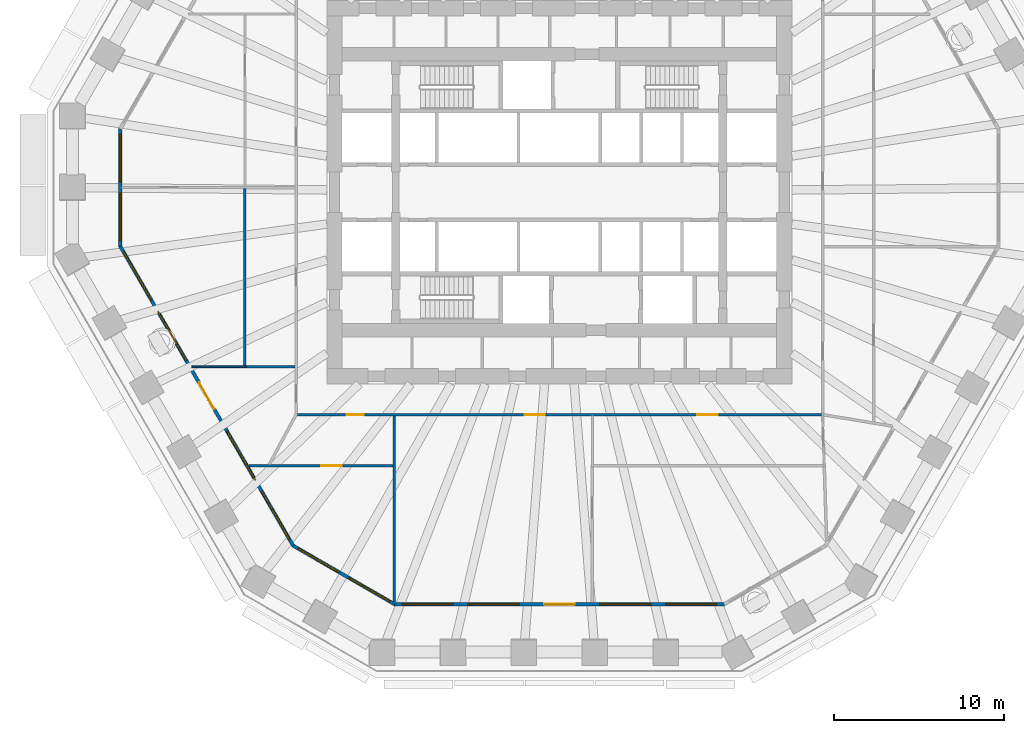
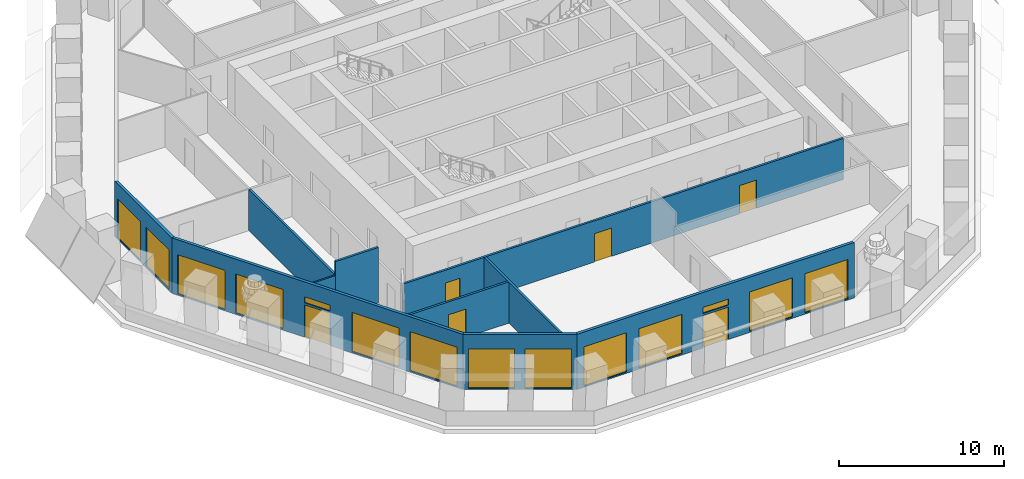
# One storey, part 3 of 13: 14 windows, 10 walls, 6 doors, 20 openings.
"""IFC4 building model written with IfcOpenShell, lengths in metres."""

from ifc_helpers import new_model, si_unit, direction, frame, frame_2d, origin, place, context, subcontext, project, spatial, polyline, rectangle, outline, extrude, material, layer, layer_set, type_object, element, fill, save


model = new_model("IFC4")

# Units and contexts
model_context = context("Model", 3, precision=1e-05, world=origin(), true_north=direction((0.0, 1.0)))
body_context = subcontext(model_context, "Body", "Model", "MODEL_VIEW")
ifc_project = project(units=[si_unit("LENGTHUNIT", "METRE"), si_unit("AREAUNIT", "SQUARE_METRE"), si_unit("VOLUMEUNIT", "CUBIC_METRE"), si_unit("PLANEANGLEUNIT", "RADIAN"), si_unit("MASSUNIT", "GRAM", prefix="KILO")], contexts=[model_context])

# Site, building, storey
site_placement = place(None, origin())
site = spatial("IfcSite", under=ifc_project, at=site_placement, CompositionType="ELEMENT")
building_placement = place(site_placement, origin())
building = spatial("IfcBuilding", under=site, at=building_placement, Name="Frailejon Research Tower", CompositionType="ELEMENT")
storey_placement = place(building_placement, frame((0.0, 0.0, 23.39990234375)))
storey = spatial("IfcBuildingStorey", under=building, at=storey_placement, Name="L05", CompositionType="ELEMENT", Elevation=23.39990234375)

# Wall, openings, doors
ifc_material_1 = material(Name="Gypsum board and masonry partition", Category="masonry")
ifc_layer_1 = layer(ifc_material_1, 0.14990234375)
ifc_layer_set_1 = layer_set([ifc_layer_1], Name="Corridor wall EI 60, gypsum on steel studs 150")
wall_type_1 = type_object("IfcWallType", Name="Corridor wall EI 60, gypsum on steel studs 150", PredefinedType="PARTITIONING", material=ifc_layer_set_1)
wall_1_placement = place(storey_placement, frame((-15.375, -13.050048828125, 0.0), z_axis=(0.0, 0.0, 1.0), x_axis=(1.0, 0.0, 0.0)))
wall_1 = element("IfcWall", 1, at=wall_1_placement, inside=storey, type_object=wall_type_1, Name="T:IW:L05:004", PredefinedType="PARTITIONING", context=body_context, shape_type="SweptSolid", body=[
    extrude(rectangle(XDim=30.75, YDim=0.14990234375, at=frame_2d((15.375, 0.0))), origin(), (0.0, 0.0, 1.0), 3.050048828125),
])
opening_1_placement = place(wall_1_placement, frame((2.90966796875, 0.0, 0.0)))
opening_1 = element("IfcOpeningElement", 2, at=opening_1_placement, cuts=wall_1, Name="Opening D1285", PredefinedType="OPENING", context=body_context, shape_type="SweptSolid", body=[
    extrude(rectangle(XDim=1.0, YDim=2.10009765625, at=frame_2d((0.5, 1.050048828125))), frame((0.0, 0.0849609375, 0.0), z_axis=(0.0, -1.0, 0.0), x_axis=(1.0, 0.0, 0.0)), (0.0, 0.0, 1.0), 0.169921875),
])
opening_2_placement = place(wall_1_placement, frame((13.330322265625, 0.0, 0.0)))
opening_2 = element("IfcOpeningElement", 3, at=opening_2_placement, cuts=wall_1, Name="Opening D1287", PredefinedType="OPENING", context=body_context, shape_type="SweptSolid", body=[
    extrude(rectangle(XDim=1.199951171875, YDim=2.10009765625, at=frame_2d((0.60009765625, 1.050048828125))), frame((0.0, 0.0849609375, 0.0), z_axis=(0.0, -1.0, 0.0), x_axis=(1.0, 0.0, 0.0)), (0.0, 0.0, 1.0), 0.169921875),
])
opening_3_placement = place(wall_1_placement, frame((23.4697265625, 0.0, 0.0)))
opening_3 = element("IfcOpeningElement", 4, at=opening_3_placement, cuts=wall_1, Name="Opening D1289", PredefinedType="OPENING", context=body_context, shape_type="SweptSolid", body=[
    extrude(rectangle(XDim=1.199951171875, YDim=2.10009765625, at=frame_2d((0.60009765625, 1.050048828125))), frame((0.0, 0.0849609375, 0.0), z_axis=(0.0, -1.0, 0.0), x_axis=(1.0, 0.0, 0.0)), (0.0, 0.0, 1.0), 0.169921875),
])
ifc_material_2 = material(Name="Timber door leaf", Category="wood")
door_type_1 = type_object("IfcDoorType", Name="Door laboratory, timber, vision panel 1000", OperationType="NOTDEFINED", PredefinedType="DOOR", material=ifc_material_2)
door_1_placement = place(opening_1_placement, origin())
door_1 = element("IfcDoor", 5, at=door_1_placement, inside=storey, type_object=door_type_1, Name="D1285", OperationType="SINGLE_SWING_RIGHT", OverallHeight=2.10009765625, OverallWidth=1.0, PredefinedType="DOOR", context=body_context, shape_type="SweptSolid", body=[
    extrude(rectangle(XDim=1.0, YDim=2.10009765625, at=frame_2d((0.5, 1.050048828125))), frame((0.0, 0.02490234375, 0.0), z_axis=(0.0, -1.0, 0.0), x_axis=(1.0, 0.0, 0.0)), (0.0, 0.0, 1.0), 0.050048828125),
])
fill(opening_1, door_1)
ifc_material_3 = material(Name="Timber door leaf", Category="wood")
door_type_2 = type_object("IfcDoorType", Name="Door single leaf, timber, steel frame 1200", OperationType="NOTDEFINED", PredefinedType="DOOR", material=ifc_material_3)
door_2_placement = place(opening_2_placement, origin())
door_2 = element("IfcDoor", 6, at=door_2_placement, inside=storey, type_object=door_type_2, Name="D1287", OperationType="DOUBLE_DOOR_SINGLE_SWING", OverallHeight=2.10009765625, OverallWidth=1.199951171875, PredefinedType="DOOR", context=body_context, shape_type="SweptSolid", body=[
    extrude(rectangle(XDim=1.199951171875, YDim=2.10009765625, at=frame_2d((0.60009765625, 1.050048828125))), frame((0.0, 0.02490234375, 0.0), z_axis=(0.0, -1.0, 0.0), x_axis=(1.0, 0.0, 0.0)), (0.0, 0.0, 1.0), 0.050048828125),
])
fill(opening_2, door_2)
door_3_placement = place(opening_3_placement, origin())
door_3 = element("IfcDoor", 7, at=door_3_placement, inside=storey, type_object=door_type_2, Name="D1289", OperationType="DOUBLE_DOOR_SINGLE_SWING", OverallHeight=2.10009765625, OverallWidth=1.199951171875, PredefinedType="DOOR", context=body_context, shape_type="SweptSolid", body=[
    extrude(rectangle(XDim=1.199951171875, YDim=2.10009765625, at=frame_2d((0.60009765625, 1.050048828125))), frame((0.0, 0.02490234375, 0.0), z_axis=(0.0, -1.0, 0.0), x_axis=(1.0, 0.0, 0.0)), (0.0, 0.0, 1.0), 0.050048828125),
])
fill(opening_3, door_3)

# Walls
ifc_material_4 = material(Name="Gypsum board and masonry partition", Category="masonry")
ifc_layer_2 = layer(ifc_material_4, 0.14990234375)
ifc_layer_set_2 = layer_set([ifc_layer_2], Name="Laboratory partition, blockwork 150")
wall_type_2 = type_object("IfcWallType", Name="Laboratory partition, blockwork 150", PredefinedType="PARTITIONING", material=ifc_layer_set_2)
wall_2_placement = place(storey_placement, frame((-18.449951171875, -10.16259765625, 0.0), z_axis=(0.0, 0.0, 1.0), x_axis=(0.0, 1.0, 0.0)))
element("IfcWall", 8, at=wall_2_placement, inside=storey, type_object=wall_type_2, Name="T:IW:L05:016", PredefinedType="PARTITIONING", context=body_context, shape_type="SweptSolid", body=[
    extrude(rectangle(XDim=10.38916015625, YDim=0.14990234375, at=frame_2d((5.194580078125, 0.0))), origin(), (0.0, 0.0, 1.0), 3.050048828125),
])
wall_3_placement = place(storey_placement, frame((-18.52490234375, -10.237548828125, 0.0), z_axis=(0.0, 0.0, 1.0), x_axis=(1.0, 0.0, 0.0)))
element("IfcWall", 9, at=wall_3_placement, inside=storey, type_object=wall_type_2, Name="T:IW:L05:017", PredefinedType="PARTITIONING", context=body_context, shape_type="SweptSolid", body=[
    extrude(rectangle(XDim=3.0, YDim=0.14990234375, at=frame_2d((1.5, 0.0))), origin(), (0.0, 0.0, 1.0), 4.10009765625),
])

# Wall, opening, door
wall_4_placement = place(storey_placement, frame((-18.21533203125, -16.050048828125, 0.0), z_axis=(0.0, 0.0, 1.0), x_axis=(1.0, 0.0, 0.0)))
wall_4 = element("IfcWall", 10, at=wall_4_placement, inside=storey, type_object=wall_type_2, Name="T:IW:L05:019", PredefinedType="PARTITIONING", context=body_context, shape_type="SweptSolid", body=[
    extrude(rectangle(XDim=8.443603515625, YDim=0.14990234375, at=frame_2d((4.2216796875, 0.0))), origin(), (0.0, 0.0, 1.0), 3.050048828125),
])
opening_4_placement = place(wall_4_placement, frame((4.234375, 0.0, 0.0)))
opening_4 = element("IfcOpeningElement", 11, at=opening_4_placement, cuts=wall_4, Name="Opening D1286", PredefinedType="OPENING", context=body_context, shape_type="SweptSolid", body=[
    extrude(rectangle(XDim=1.199951171875, YDim=2.10009765625, at=frame_2d((0.60009765625, 1.050048828125))), frame((0.0, 0.0849609375, 0.0), z_axis=(0.0, -1.0, 0.0), x_axis=(1.0, 0.0, 0.0)), (0.0, 0.0, 1.0), 0.169921875),
])
ifc_material_5 = material(Name="Timber door leaf", Category="wood")
door_type_3 = type_object("IfcDoorType", Name="Door laboratory, timber, vision panel 1200", OperationType="NOTDEFINED", PredefinedType="DOOR", material=ifc_material_5)
door_4_placement = place(opening_4_placement, origin())
door_4 = element("IfcDoor", 12, at=door_4_placement, inside=storey, type_object=door_type_3, Name="D1286", OperationType="DOUBLE_DOOR_SINGLE_SWING", OverallHeight=2.10009765625, OverallWidth=1.199951171875, PredefinedType="DOOR", context=body_context, shape_type="SweptSolid", body=[
    extrude(rectangle(XDim=1.199951171875, YDim=2.10009765625, at=frame_2d((0.60009765625, 1.050048828125))), frame((0.0, 0.02490234375, 0.0), z_axis=(0.0, -1.0, 0.0), x_axis=(1.0, 0.0, 0.0)), (0.0, 0.0, 1.0), 0.050048828125),
])
fill(opening_4, door_4)

# Walls
wall_5_placement = place(storey_placement, frame((-9.69677734375, -24.045654296875, 0.0), z_axis=(0.0, 0.0, 1.0), x_axis=(0.0, 1.0, 0.0)))
element("IfcWall", 13, at=wall_5_placement, inside=storey, type_object=wall_type_2, Name="T:IW:L05:021", PredefinedType="PARTITIONING", context=body_context, shape_type="SweptSolid", body=[
    extrude(rectangle(XDim=10.920654296875, YDim=0.14990234375, at=frame_2d((5.46044921875, 0.0))), origin(), (0.0, 0.0, 1.0), 3.050048828125),
])
ifc_material_6 = material(Name="Gypsum board and masonry partition", Category="masonry")
ifc_layer_3 = layer(ifc_material_6, 0.10009765625)
ifc_layer_set_3 = layer_set([ifc_layer_3], Name="Partition, gypsum on steel studs 100")
wall_type_3 = type_object("IfcWallType", Name="Partition, gypsum on steel studs 100", PredefinedType="PARTITIONING", material=ifc_layer_set_3)
wall_6_placement = place(storey_placement, frame((-21.5712890625, -10.237548828125, 0.0), z_axis=(0.0, 0.0, 1.0), x_axis=(1.0, 0.0, 0.0)))
element("IfcWall", 14, at=wall_6_placement, inside=storey, type_object=wall_type_3, Name="T:IW:L05:032", PredefinedType="PARTITIONING", context=body_context, shape_type="SweptSolid", body=[
    extrude(rectangle(XDim=3.1962890625, YDim=0.10009765625, at=frame_2d((1.59814453125, 0.0))), origin(), (0.0, 0.0, 1.0), 3.050048828125),
])

# Wall, openings, windows
ifc_material_7 = material(Name="Concrete C40/50 precast window wall panel", Category="concrete")
ifc_layer_4 = layer(ifc_material_7, 0.199951171875)
ifc_layer_set_4 = layer_set([ifc_layer_4], Name="Window wall 200")
wall_type_4 = type_object("IfcWallType", Name="Window wall 200", PredefinedType="SOLIDWALL", material=ifc_layer_set_4)
wall_7_placement = place(storey_placement, frame((-25.7724609375, 3.7138671875, 0.0), z_axis=(0.0, 0.0, 1.0), x_axis=(0.0, -1.0, 0.0)))
wall_7 = element("IfcWall", 15, at=wall_7_placement, inside=storey, type_object=wall_type_4, Name="Exterior wall L05", PredefinedType="SOLIDWALL", context=body_context, shape_type="SweptSolid", body=[
    extrude(outline(polyline([(-0.02685546875, -0.10009765625), (1.1279296875, -0.10009765625), (2.28271484375, -0.10009765625), (3.4375, -0.10009765625), (4.592041015625, -0.10009765625), (5.746826171875, -0.10009765625), (6.901611328125, -0.10009765625), (6.847900390625, 0.10009765625), (5.7109375, 0.10009765625), (4.57421875, 0.10009765625), (3.4375, 0.10009765625), (2.300537109375, 0.10009765625), (1.16357421875, 0.10009765625), (0.02685546875, 0.10009765625), (-0.02685546875, -0.10009765625)])), origin(), (0.0, 0.0, 1.0), 4.10009765625),
])
opening_5_placement = place(wall_7_placement, frame((0.318603515625, 0.0, 0.10009765625)))
opening_5 = element("IfcOpeningElement", 16, at=opening_5_placement, cuts=wall_7, Name="Opening W3", PredefinedType="OPENING", context=body_context, shape_type="SweptSolid", body=[
    extrude(rectangle(XDim=2.800048828125, YDim=2.89990234375, at=frame_2d((1.39990234375, 1.449951171875))), frame((0.0, 0.10986328125, 0.0), z_axis=(0.0, -1.0, 0.0), x_axis=(1.0, 0.0, 0.0)), (0.0, 0.0, 1.0), 0.219970703125),
])
opening_6_placement = place(wall_7_placement, frame((3.756103515625, 0.0, 0.10009765625)))
opening_6 = element("IfcOpeningElement", 17, at=opening_6_placement, cuts=wall_7, Name="Opening W3", PredefinedType="OPENING", context=body_context, shape_type="SweptSolid", body=[
    extrude(rectangle(XDim=2.800048828125, YDim=2.89990234375, at=frame_2d((1.39990234375, 1.449951171875))), frame((0.0, 0.10986328125, 0.0), z_axis=(0.0, -1.0, 0.0), x_axis=(1.0, 0.0, 0.0)), (0.0, 0.0, 1.0), 0.219970703125),
])
ifc_material_8 = material(Name="Aluminium framed double glazing", Category="aluminium")
window_type_1 = type_object("IfcWindowType", Name="Window 2800x2900", PartitioningType="SINGLE_PANEL", PredefinedType="WINDOW", material=ifc_material_8)
window_1_placement = place(opening_5_placement, origin())
window_1 = element("IfcWindow", 18, at=window_1_placement, inside=storey, type_object=window_type_1, Name="Window L05", OverallHeight=2.89990234375, OverallWidth=2.800048828125, PartitioningType="SINGLE_PANEL", PredefinedType="WINDOW", context=body_context, shape_type="SweptSolid", body=[
    extrude(rectangle(XDim=2.800048828125, YDim=2.89990234375, at=frame_2d((1.39990234375, 1.449951171875))), frame((0.0, 0.030029296875, 0.0), z_axis=(0.0, -1.0, 0.0), x_axis=(1.0, 0.0, 0.0)), (0.0, 0.0, 1.0), 0.06005859375),
])
fill(opening_5, window_1)
window_2_placement = place(opening_6_placement, origin())
window_2 = element("IfcWindow", 19, at=window_2_placement, inside=storey, type_object=window_type_1, Name="Window L05", OverallHeight=2.89990234375, OverallWidth=2.800048828125, PartitioningType="SINGLE_PANEL", PredefinedType="WINDOW", context=body_context, shape_type="SweptSolid", body=[
    extrude(rectangle(XDim=2.800048828125, YDim=2.89990234375, at=frame_2d((1.39990234375, 1.449951171875))), frame((0.0, 0.030029296875, 0.0), z_axis=(0.0, -1.0, 0.0), x_axis=(1.0, 0.0, 0.0)), (0.0, 0.0, 1.0), 0.06005859375),
])
fill(opening_6, window_2)

# Wall, openings, door, windows
wall_8_placement = place(storey_placement, frame((-25.7724609375, -3.160888671875, 0.0), z_axis=(0.0, 0.0, 1.0), x_axis=(0.500001833672, -0.866024345111, 0.0)))
wall_8 = element("IfcWall", 20, at=wall_8_placement, inside=storey, type_object=wall_type_4, Name="Exterior wall L05", PredefinedType="SOLIDWALL", context=body_context, shape_type="SweptSolid", body=[
    extrude(outline(polyline([(-0.02685546875, -0.10009765625), (0.99072265625, -0.10009765625), (2.00830078125, -0.10009765625), (3.02587890625, -0.10009765625), (4.04345703125, -0.10009765625), (5.06103515625, -0.10009765625), (6.07861328125, -0.10009765625), (7.09619140625, -0.10009765625), (8.11376953125, -0.10009765625), (9.13134765625, -0.10009765625), (10.14892578125, -0.10009765625), (11.16650390625, -0.10009765625), (12.18408203125, -0.10009765625), (13.20166015625, -0.10009765625), (14.21923828125, -0.10009765625), (15.23681640625, -0.10009765625), (16.25439453125, -0.10009765625), (17.27197265625, -0.10009765625), (18.28955078125, -0.10009765625), (19.30712890625, -0.10009765625), (20.32470703125, -0.10009765625), (20.27099609375, 0.10009765625), (19.2587890625, 0.10009765625), (18.24658203125, 0.10009765625), (17.234375, 0.10009765625), (16.22216796875, 0.10009765625), (15.2099609375, 0.10009765625), (14.19775390625, 0.10009765625), (13.185546875, 0.10009765625), (12.17333984375, 0.10009765625), (11.1611328125, 0.10009765625), (10.14892578125, 0.10009765625), (9.13671875, 0.10009765625), (8.12451171875, 0.10009765625), (7.1123046875, 0.10009765625), (6.10009765625, 0.10009765625), (5.087890625, 0.10009765625), (4.07568359375, 0.10009765625), (3.0634765625, 0.10009765625), (2.05126953125, 0.10009765625), (1.0390625, 0.10009765625), (0.02685546875, 0.10009765625), (-0.02685546875, -0.10009765625)])), origin(), (0.0, 0.0, 1.0), 4.10009765625),
])
opening_7_placement = place(wall_8_placement, frame((0.3798828125, 0.0, 0.10009765625)))
opening_7 = element("IfcOpeningElement", 21, at=opening_7_placement, cuts=wall_8, Name="Opening W5", PredefinedType="OPENING", context=body_context, shape_type="SweptSolid", body=[
    extrude(rectangle(XDim=3.300048828125, YDim=2.89990234375, at=frame_2d((1.64990234375, 1.449951171875))), frame((0.0, 0.10986328125, 0.0), z_axis=(0.0, -1.0, 0.0), x_axis=(1.0, 0.0, 0.0)), (0.0, 0.0, 1.0), 0.219970703125),
])
opening_8_placement = place(wall_8_placement, frame((4.439453125, 0.0, 0.10009765625)))
opening_8 = element("IfcOpeningElement", 22, at=opening_8_placement, cuts=wall_8, Name="Opening W5", PredefinedType="OPENING", context=body_context, shape_type="SweptSolid", body=[
    extrude(rectangle(XDim=3.300048828125, YDim=2.89990234375, at=frame_2d((1.64990234375, 1.449951171875))), frame((0.0, 0.10986328125, 0.0), z_axis=(0.0, -1.0, 0.0), x_axis=(1.0, 0.0, 0.0)), (0.0, 0.0, 1.0), 0.219970703125),
])
opening_9_placement = place(wall_8_placement, frame((9.248779296875, 0.0, 0.0)))
opening_9 = element("IfcOpeningElement", 23, at=opening_9_placement, cuts=wall_8, Name="Opening LG05-4", PredefinedType="OPENING", context=body_context, shape_type="SweptSolid", body=[
    extrude(rectangle(XDim=1.800048828125, YDim=2.39990234375, at=frame_2d((0.89990234375, 1.199951171875))), frame((0.0, 0.10986328125, 0.0), z_axis=(0.0, -1.0, 0.0), x_axis=(1.0, 0.0, 0.0)), (0.0, 0.0, 1.0), 0.219970703125),
])
opening_10_placement = place(wall_8_placement, frame((9.248779296875, 0.0, 2.550048828125)))
opening_10 = element("IfcOpeningElement", 24, at=opening_10_placement, cuts=wall_8, Name="Opening W1", PredefinedType="OPENING", context=body_context, shape_type="SweptSolid", body=[
    extrude(rectangle(XDim=1.800048828125, YDim=0.449951171875, at=frame_2d((0.89990234375, 0.22509765625))), frame((0.0, 0.10986328125, 0.0), z_axis=(0.0, -1.0, 0.0), x_axis=(1.0, 0.0, 0.0)), (0.0, 0.0, 1.0), 0.219970703125),
])
opening_11_placement = place(wall_8_placement, frame((12.55859375, 0.0, 0.10009765625)))
opening_11 = element("IfcOpeningElement", 25, at=opening_11_placement, cuts=wall_8, Name="Opening W5", PredefinedType="OPENING", context=body_context, shape_type="SweptSolid", body=[
    extrude(rectangle(XDim=3.300048828125, YDim=2.89990234375, at=frame_2d((1.64990234375, 1.449951171875))), frame((0.0, 0.10986328125, 0.0), z_axis=(0.0, -1.0, 0.0), x_axis=(1.0, 0.0, 0.0)), (0.0, 0.0, 1.0), 0.219970703125),
])
opening_12_placement = place(wall_8_placement, frame((16.6181640625, 0.0, 0.10009765625)))
opening_12 = element("IfcOpeningElement", 26, at=opening_12_placement, cuts=wall_8, Name="Opening W5", PredefinedType="OPENING", context=body_context, shape_type="SweptSolid", body=[
    extrude(rectangle(XDim=3.300048828125, YDim=2.89990234375, at=frame_2d((1.64990234375, 1.449951171875))), frame((0.0, 0.10986328125, 0.0), z_axis=(0.0, -1.0, 0.0), x_axis=(1.0, 0.0, 0.0)), (0.0, 0.0, 1.0), 0.219970703125),
])
ifc_material_9 = material(Name="Aluminium framed glazed door leaf", Category="aluminium")
door_type_4 = type_object("IfcDoorType", Name="Loggia door 1800x2400", OperationType="DOUBLE_DOOR_SINGLE_SWING", PredefinedType="DOOR", material=ifc_material_9)
door_5_placement = place(opening_9_placement, origin())
door_5 = element("IfcDoor", 27, at=door_5_placement, inside=storey, type_object=door_type_4, Name="Door LG05-4", OperationType="DOUBLE_DOOR_SINGLE_SWING", OverallHeight=2.39990234375, OverallWidth=1.800048828125, PredefinedType="DOOR", context=body_context, shape_type="SweptSolid", body=[
    extrude(rectangle(XDim=1.800048828125, YDim=2.39990234375, at=frame_2d((0.89990234375, 1.199951171875))), frame((0.0, 0.02490234375, 0.0), z_axis=(0.0, -1.0, 0.0), x_axis=(1.0, 0.0, 0.0)), (0.0, 0.0, 1.0), 0.050048828125),
])
fill(opening_9, door_5)
ifc_material_10 = material(Name="Aluminium framed double glazing", Category="aluminium")
window_type_2 = type_object("IfcWindowType", Name="Window 1800x450", PartitioningType="SINGLE_PANEL", PredefinedType="WINDOW", material=ifc_material_10)
window_3_placement = place(opening_10_placement, origin())
window_3 = element("IfcWindow", 28, at=window_3_placement, inside=storey, type_object=window_type_2, Name="Window L05", OverallHeight=0.449951171875, OverallWidth=1.800048828125, PartitioningType="SINGLE_PANEL", PredefinedType="WINDOW", context=body_context, shape_type="SweptSolid", body=[
    extrude(rectangle(XDim=1.800048828125, YDim=0.449951171875, at=frame_2d((0.89990234375, 0.22509765625))), frame((0.0, 0.030029296875, 0.0), z_axis=(0.0, -1.0, 0.0), x_axis=(1.0, 0.0, 0.0)), (0.0, 0.0, 1.0), 0.06005859375),
])
fill(opening_10, window_3)
ifc_material_11 = material(Name="Aluminium framed double glazing", Category="aluminium")
window_type_3 = type_object("IfcWindowType", Name="Window 3300x2900", PartitioningType="SINGLE_PANEL", PredefinedType="WINDOW", material=ifc_material_11)
window_4_placement = place(opening_7_placement, origin())
window_4 = element("IfcWindow", 29, at=window_4_placement, inside=storey, type_object=window_type_3, Name="Window L05", OverallHeight=2.89990234375, OverallWidth=3.300048828125, PartitioningType="SINGLE_PANEL", PredefinedType="WINDOW", context=body_context, shape_type="SweptSolid", body=[
    extrude(rectangle(XDim=3.300048828125, YDim=2.89990234375, at=frame_2d((1.64990234375, 1.449951171875))), frame((0.0, 0.030029296875, 0.0), z_axis=(0.0, -1.0, 0.0), x_axis=(1.0, 0.0, 0.0)), (0.0, 0.0, 1.0), 0.06005859375),
])
fill(opening_7, window_4)
window_5_placement = place(opening_8_placement, origin())
window_5 = element("IfcWindow", 30, at=window_5_placement, inside=storey, type_object=window_type_3, Name="Window L05", OverallHeight=2.89990234375, OverallWidth=3.300048828125, PartitioningType="SINGLE_PANEL", PredefinedType="WINDOW", context=body_context, shape_type="SweptSolid", body=[
    extrude(rectangle(XDim=3.300048828125, YDim=2.89990234375, at=frame_2d((1.64990234375, 1.449951171875))), frame((0.0, 0.030029296875, 0.0), z_axis=(0.0, -1.0, 0.0), x_axis=(1.0, 0.0, 0.0)), (0.0, 0.0, 1.0), 0.06005859375),
])
fill(opening_8, window_5)
window_6_placement = place(opening_11_placement, origin())
window_6 = element("IfcWindow", 31, at=window_6_placement, inside=storey, type_object=window_type_3, Name="Window L05", OverallHeight=2.89990234375, OverallWidth=3.300048828125, PartitioningType="SINGLE_PANEL", PredefinedType="WINDOW", context=body_context, shape_type="SweptSolid", body=[
    extrude(rectangle(XDim=3.300048828125, YDim=2.89990234375, at=frame_2d((1.64990234375, 1.449951171875))), frame((0.0, 0.030029296875, 0.0), z_axis=(0.0, -1.0, 0.0), x_axis=(1.0, 0.0, 0.0)), (0.0, 0.0, 1.0), 0.06005859375),
])
fill(opening_11, window_6)
window_7_placement = place(opening_12_placement, origin())
window_7 = element("IfcWindow", 32, at=window_7_placement, inside=storey, type_object=window_type_3, Name="Window L05", OverallHeight=2.89990234375, OverallWidth=3.300048828125, PartitioningType="SINGLE_PANEL", PredefinedType="WINDOW", context=body_context, shape_type="SweptSolid", body=[
    extrude(rectangle(XDim=3.300048828125, YDim=2.89990234375, at=frame_2d((1.64990234375, 1.449951171875))), frame((0.0, 0.030029296875, 0.0), z_axis=(0.0, -1.0, 0.0), x_axis=(1.0, 0.0, 0.0)), (0.0, 0.0, 1.0), 0.06005859375),
])
fill(opening_12, window_7)

# Wall, openings, windows
wall_9_placement = place(storey_placement, frame((-15.62353515625, -20.7392578125, 0.0), z_axis=(0.0, 0.0, 1.0), x_axis=(0.866029458321, -0.49999297727, 0.0)))
wall_9 = element("IfcWall", 33, at=wall_9_placement, inside=storey, type_object=wall_type_4, Name="Exterior wall L05", PredefinedType="SOLIDWALL", context=body_context, shape_type="SweptSolid", body=[
    extrude(outline(polyline([(-0.02685546875, -0.10009765625), (1.1279296875, -0.10009765625), (2.282470703125, -0.10009765625), (3.437255859375, -0.10009765625), (4.592041015625, -0.10009765625), (5.74658203125, -0.10009765625), (6.9013671875, -0.10009765625), (6.84765625, 0.10009765625), (5.7109375, 0.10009765625), (4.573974609375, 0.10009765625), (3.437255859375, 0.10009765625), (2.300537109375, 0.10009765625), (1.16357421875, 0.10009765625), (0.02685546875, 0.10009765625), (-0.02685546875, -0.10009765625)])), origin(), (0.0, 0.0, 1.0), 4.10009765625),
])
opening_13_placement = place(wall_9_placement, frame((0.318603515625, 0.0, 0.10009765625)))
opening_13 = element("IfcOpeningElement", 34, at=opening_13_placement, cuts=wall_9, Name="Opening W3", PredefinedType="OPENING", context=body_context, shape_type="SweptSolid", body=[
    extrude(rectangle(XDim=2.800048828125, YDim=2.89990234375, at=frame_2d((1.39990234375, 1.449951171875))), frame((0.0, 0.10986328125, 0.0), z_axis=(0.0, -1.0, 0.0), x_axis=(1.0, 0.0, 0.0)), (0.0, 0.0, 1.0), 0.219970703125),
])
opening_14_placement = place(wall_9_placement, frame((3.756103515625, 0.0, 0.10009765625)))
opening_14 = element("IfcOpeningElement", 35, at=opening_14_placement, cuts=wall_9, Name="Opening W3", PredefinedType="OPENING", context=body_context, shape_type="SweptSolid", body=[
    extrude(rectangle(XDim=2.800048828125, YDim=2.89990234375, at=frame_2d((1.39990234375, 1.449951171875))), frame((0.0, 0.10986328125, 0.0), z_axis=(0.0, -1.0, 0.0), x_axis=(1.0, 0.0, 0.0)), (0.0, 0.0, 1.0), 0.219970703125),
])
window_8_placement = place(opening_13_placement, origin())
window_8 = element("IfcWindow", 36, at=window_8_placement, inside=storey, type_object=window_type_1, Name="Window L05", OverallHeight=2.89990234375, OverallWidth=2.800048828125, PartitioningType="SINGLE_PANEL", PredefinedType="WINDOW", context=body_context, shape_type="SweptSolid", body=[
    extrude(rectangle(XDim=2.800048828125, YDim=2.89990234375, at=frame_2d((1.39990234375, 1.449951171875))), frame((0.0, 0.030029296875, 0.0), z_axis=(0.0, -1.0, 0.0), x_axis=(1.0, 0.0, 0.0)), (0.0, 0.0, 1.0), 0.06005859375),
])
fill(opening_13, window_8)
window_9_placement = place(opening_14_placement, origin())
window_9 = element("IfcWindow", 37, at=window_9_placement, inside=storey, type_object=window_type_1, Name="Window L05", OverallHeight=2.89990234375, OverallWidth=2.800048828125, PartitioningType="SINGLE_PANEL", PredefinedType="WINDOW", context=body_context, shape_type="SweptSolid", body=[
    extrude(rectangle(XDim=2.800048828125, YDim=2.89990234375, at=frame_2d((1.39990234375, 1.449951171875))), frame((0.0, 0.030029296875, 0.0), z_axis=(0.0, -1.0, 0.0), x_axis=(1.0, 0.0, 0.0)), (0.0, 0.0, 1.0), 0.06005859375),
])
fill(opening_14, window_9)

# Wall, openings, door, windows
wall_10_placement = place(storey_placement, frame((-9.669921875, -24.176513671875, 0.0), z_axis=(0.0, 0.0, 1.0), x_axis=(1.0, 0.0, 0.0)))
wall_10 = element("IfcWall", 38, at=wall_10_placement, inside=storey, type_object=wall_type_4, Name="Exterior wall L05", PredefinedType="SOLIDWALL", context=body_context, shape_type="SweptSolid", body=[
    extrude(outline(polyline([(-0.02685546875, -0.10009765625), (0.993896484375, -0.10009765625), (2.0146484375, -0.10009765625), (3.035400390625, -0.10009765625), (4.055908203125, -0.10009765625), (5.07666015625, -0.10009765625), (6.097412109375, -0.10009765625), (7.1181640625, -0.10009765625), (8.138916015625, -0.10009765625), (9.15966796875, -0.10009765625), (10.18017578125, -0.10009765625), (11.200927734375, -0.10009765625), (12.2216796875, -0.10009765625), (13.242431640625, -0.10009765625), (14.26318359375, -0.10009765625), (15.283935546875, -0.10009765625), (16.304443359375, -0.10009765625), (17.3251953125, -0.10009765625), (18.345947265625, -0.10009765625), (19.36669921875, -0.10009765625), (19.31298828125, 0.10009765625), (18.2978515625, 0.10009765625), (17.282958984375, 0.10009765625), (16.267822265625, 0.10009765625), (15.252685546875, 0.10009765625), (14.23779296875, 0.10009765625), (13.22265625, 0.10009765625), (12.20751953125, 0.10009765625), (11.192626953125, 0.10009765625), (10.177490234375, 0.10009765625), (9.162353515625, 0.10009765625), (8.147216796875, 0.10009765625), (7.13232421875, 0.10009765625), (6.1171875, 0.10009765625), (5.10205078125, 0.10009765625), (4.087158203125, 0.10009765625), (3.072021484375, 0.10009765625), (2.056884765625, 0.10009765625), (1.0419921875, 0.10009765625), (0.02685546875, 0.10009765625), (-0.02685546875, -0.10009765625)])), origin(), (0.0, 0.0, 1.0), 4.10009765625),
])
opening_15_placement = place(wall_10_placement, frame((0.43408203125, 0.0, 0.10009765625)))
opening_15 = element("IfcOpeningElement", 39, at=opening_15_placement, cuts=wall_10, Name="Opening W4", PredefinedType="OPENING", context=body_context, shape_type="SweptSolid", body=[
    extrude(rectangle(XDim=3.0, YDim=2.89990234375, at=frame_2d((1.5, 1.449951171875))), frame((0.0, 0.10986328125, 0.0), z_axis=(0.0, -1.0, 0.0), x_axis=(1.0, 0.0, 0.0)), (0.0, 0.0, 1.0), 0.219970703125),
])
opening_16_placement = place(wall_10_placement, frame((4.302001953125, 0.0, 0.10009765625)))
opening_16 = element("IfcOpeningElement", 40, at=opening_16_placement, cuts=wall_10, Name="Opening W4", PredefinedType="OPENING", context=body_context, shape_type="SweptSolid", body=[
    extrude(rectangle(XDim=3.0, YDim=2.89990234375, at=frame_2d((1.5, 1.449951171875))), frame((0.0, 0.10986328125, 0.0), z_axis=(0.0, -1.0, 0.0), x_axis=(1.0, 0.0, 0.0)), (0.0, 0.0, 1.0), 0.219970703125),
])
opening_17_placement = place(wall_10_placement, frame((8.77001953125, 0.0, 0.0)))
opening_17 = element("IfcOpeningElement", 41, at=opening_17_placement, cuts=wall_10, Name="Opening LG05-5", PredefinedType="OPENING", context=body_context, shape_type="SweptSolid", body=[
    extrude(rectangle(XDim=1.800048828125, YDim=2.39990234375, at=frame_2d((0.89990234375, 1.199951171875))), frame((0.0, 0.10986328125, 0.0), z_axis=(0.0, -1.0, 0.0), x_axis=(1.0, 0.0, 0.0)), (0.0, 0.0, 1.0), 0.219970703125),
])
opening_18_placement = place(wall_10_placement, frame((8.77001953125, 0.0, 2.550048828125)))
opening_18 = element("IfcOpeningElement", 42, at=opening_18_placement, cuts=wall_10, Name="Opening W1", PredefinedType="OPENING", context=body_context, shape_type="SweptSolid", body=[
    extrude(rectangle(XDim=1.800048828125, YDim=0.449951171875, at=frame_2d((0.89990234375, 0.22509765625))), frame((0.0, 0.10986328125, 0.0), z_axis=(0.0, -1.0, 0.0), x_axis=(1.0, 0.0, 0.0)), (0.0, 0.0, 1.0), 0.219970703125),
])
opening_19_placement = place(wall_10_placement, frame((12.037841796875, 0.0, 0.10009765625)))
opening_19 = element("IfcOpeningElement", 43, at=opening_19_placement, cuts=wall_10, Name="Opening W4", PredefinedType="OPENING", context=body_context, shape_type="SweptSolid", body=[
    extrude(rectangle(XDim=3.0, YDim=2.89990234375, at=frame_2d((1.5, 1.449951171875))), frame((0.0, 0.10986328125, 0.0), z_axis=(0.0, -1.0, 0.0), x_axis=(1.0, 0.0, 0.0)), (0.0, 0.0, 1.0), 0.219970703125),
])
opening_20_placement = place(wall_10_placement, frame((15.906005859375, 0.0, 0.10009765625)))
opening_20 = element("IfcOpeningElement", 44, at=opening_20_placement, cuts=wall_10, Name="Opening W4", PredefinedType="OPENING", context=body_context, shape_type="SweptSolid", body=[
    extrude(rectangle(XDim=3.0, YDim=2.89990234375, at=frame_2d((1.5, 1.449951171875))), frame((0.0, 0.10986328125, 0.0), z_axis=(0.0, -1.0, 0.0), x_axis=(1.0, 0.0, 0.0)), (0.0, 0.0, 1.0), 0.219970703125),
])
door_6_placement = place(opening_17_placement, origin())
door_6 = element("IfcDoor", 45, at=door_6_placement, inside=storey, type_object=door_type_4, Name="Door LG05-5", OperationType="DOUBLE_DOOR_SINGLE_SWING", OverallHeight=2.39990234375, OverallWidth=1.800048828125, PredefinedType="DOOR", context=body_context, shape_type="SweptSolid", body=[
    extrude(rectangle(XDim=1.800048828125, YDim=2.39990234375, at=frame_2d((0.89990234375, 1.199951171875))), frame((0.0, 0.02490234375, 0.0), z_axis=(0.0, -1.0, 0.0), x_axis=(1.0, 0.0, 0.0)), (0.0, 0.0, 1.0), 0.050048828125),
])
fill(opening_17, door_6)
window_10_placement = place(opening_18_placement, origin())
window_10 = element("IfcWindow", 46, at=window_10_placement, inside=storey, type_object=window_type_2, Name="Window L05", OverallHeight=0.449951171875, OverallWidth=1.800048828125, PartitioningType="SINGLE_PANEL", PredefinedType="WINDOW", context=body_context, shape_type="SweptSolid", body=[
    extrude(rectangle(XDim=1.800048828125, YDim=0.449951171875, at=frame_2d((0.89990234375, 0.22509765625))), frame((0.0, 0.030029296875, 0.0), z_axis=(0.0, -1.0, 0.0), x_axis=(1.0, 0.0, 0.0)), (0.0, 0.0, 1.0), 0.06005859375),
])
fill(opening_18, window_10)
ifc_material_12 = material(Name="Aluminium framed double glazing", Category="aluminium")
window_type_4 = type_object("IfcWindowType", Name="Window 3000x2900", PartitioningType="SINGLE_PANEL", PredefinedType="WINDOW", material=ifc_material_12)
window_11_placement = place(opening_15_placement, origin())
window_11 = element("IfcWindow", 47, at=window_11_placement, inside=storey, type_object=window_type_4, Name="Window L05", OverallHeight=2.89990234375, OverallWidth=3.0, PartitioningType="SINGLE_PANEL", PredefinedType="WINDOW", context=body_context, shape_type="SweptSolid", body=[
    extrude(rectangle(XDim=3.0, YDim=2.89990234375, at=frame_2d((1.5, 1.449951171875))), frame((0.0, 0.030029296875, 0.0), z_axis=(0.0, -1.0, 0.0), x_axis=(1.0, 0.0, 0.0)), (0.0, 0.0, 1.0), 0.06005859375),
])
fill(opening_15, window_11)
window_12_placement = place(opening_16_placement, origin())
window_12 = element("IfcWindow", 48, at=window_12_placement, inside=storey, type_object=window_type_4, Name="Window L05", OverallHeight=2.89990234375, OverallWidth=3.0, PartitioningType="SINGLE_PANEL", PredefinedType="WINDOW", context=body_context, shape_type="SweptSolid", body=[
    extrude(rectangle(XDim=3.0, YDim=2.89990234375, at=frame_2d((1.5, 1.449951171875))), frame((0.0, 0.030029296875, 0.0), z_axis=(0.0, -1.0, 0.0), x_axis=(1.0, 0.0, 0.0)), (0.0, 0.0, 1.0), 0.06005859375),
])
fill(opening_16, window_12)
window_13_placement = place(opening_19_placement, origin())
window_13 = element("IfcWindow", 49, at=window_13_placement, inside=storey, type_object=window_type_4, Name="Window L05", OverallHeight=2.89990234375, OverallWidth=3.0, PartitioningType="SINGLE_PANEL", PredefinedType="WINDOW", context=body_context, shape_type="SweptSolid", body=[
    extrude(rectangle(XDim=3.0, YDim=2.89990234375, at=frame_2d((1.5, 1.449951171875))), frame((0.0, 0.030029296875, 0.0), z_axis=(0.0, -1.0, 0.0), x_axis=(1.0, 0.0, 0.0)), (0.0, 0.0, 1.0), 0.06005859375),
])
fill(opening_19, window_13)
window_14_placement = place(opening_20_placement, origin())
window_14 = element("IfcWindow", 50, at=window_14_placement, inside=storey, type_object=window_type_4, Name="Window L05", OverallHeight=2.89990234375, OverallWidth=3.0, PartitioningType="SINGLE_PANEL", PredefinedType="WINDOW", context=body_context, shape_type="SweptSolid", body=[
    extrude(rectangle(XDim=3.0, YDim=2.89990234375, at=frame_2d((1.5, 1.449951171875))), frame((0.0, 0.030029296875, 0.0), z_axis=(0.0, -1.0, 0.0), x_axis=(1.0, 0.0, 0.0)), (0.0, 0.0, 1.0), 0.06005859375),
])
fill(opening_20, window_14)

save(model, "model.ifc")
